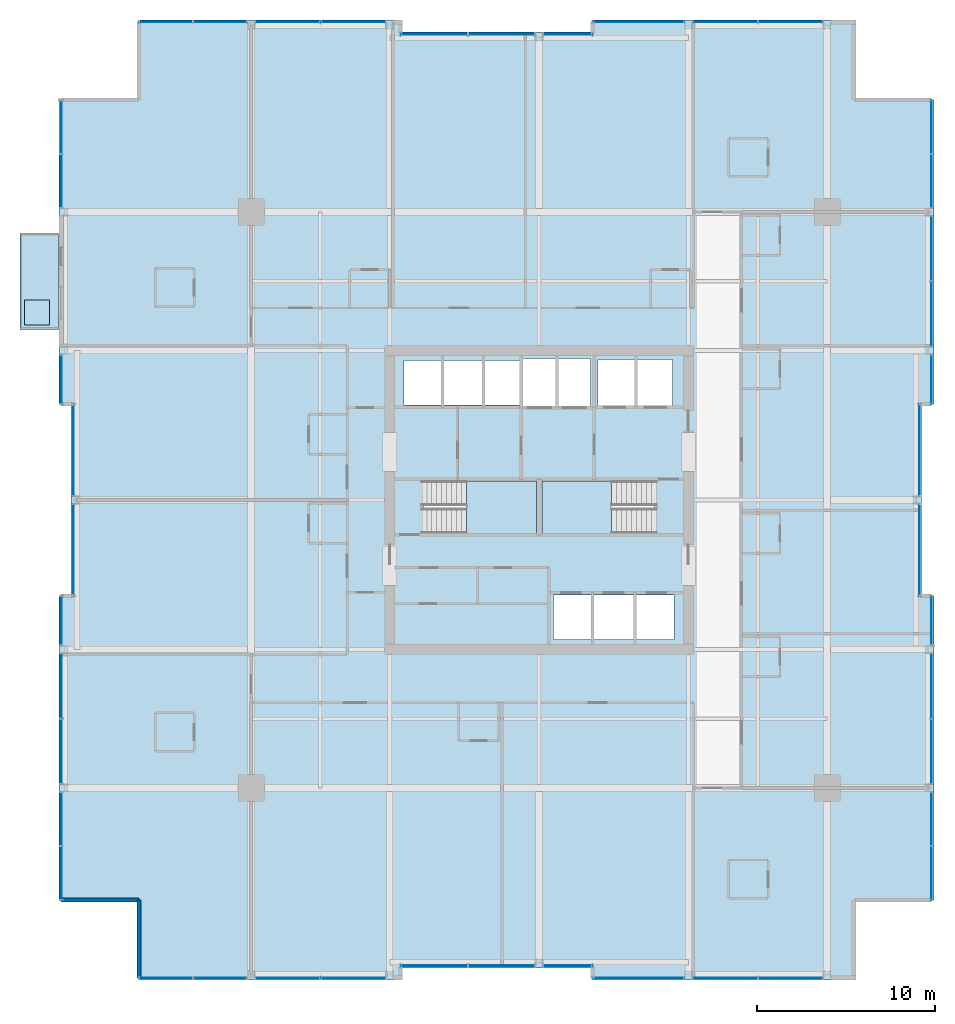
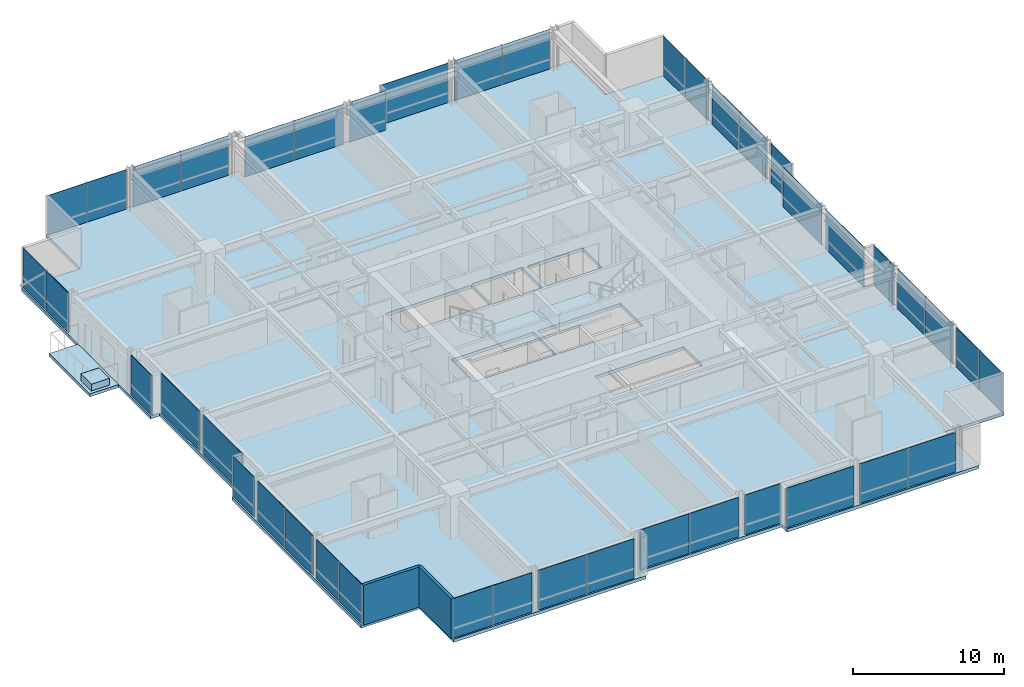
# One storey, part 27 of 33: 42 plates, 5 slabs, 2 walls, 29 elements without a shape of their own.
"""IFC4 building model written with IfcOpenShell, lengths in metres."""

from ifc_helpers import new_model, si_unit, direction, frame, frame_2d, origin, origin_2d, place, context, subcontext, project, spatial, polyline, rectangle, outline, extrude, material, layer, layer_set, type_object, element, aggregate, save


model = new_model("IFC4")

# Units and contexts
model_context = context("Model", 3, precision=1e-05, world=origin(), true_north=direction((0.0, 1.0)))
body_context = subcontext(model_context, "Body", "Model", "MODEL_VIEW")
ifc_project = project(units=[si_unit("LENGTHUNIT", "METRE"), si_unit("AREAUNIT", "SQUARE_METRE"), si_unit("VOLUMEUNIT", "CUBIC_METRE"), si_unit("PLANEANGLEUNIT", "RADIAN"), si_unit("MASSUNIT", "GRAM", prefix="KILO")], contexts=[model_context])

# Site, building, storey
site_placement = place(None, origin())
site = spatial("IfcSite", under=ifc_project, at=site_placement, CompositionType="ELEMENT")
building_placement = place(site_placement, origin())
building = spatial("IfcBuilding", under=site, at=building_placement, Name="Drelvath Grand Hotel", CompositionType="ELEMENT")
storey_placement = place(building_placement, frame((0.0, 0.0, 105.800048828125)))
storey = spatial("IfcBuildingStorey", under=building, at=storey_placement, Name="L26", CompositionType="ELEMENT", Elevation=105.800048828125)

# Slabs
ifc_material_1 = material(Name="Concrete f'c 40 MPa", Category="concrete")
ifc_layer_1 = layer(ifc_material_1, 0.239990234375)
ifc_layer_set_1 = layer_set([ifc_layer_1], Name="Concrete f'c 40 MPa")
slab_type_1 = type_object("IfcSlabType", Name="Cantilevered Tree Balcony Slab 240", PredefinedType="FLOOR", material=ifc_layer_set_1)
slab_1_placement = place(storey_placement, frame((0.0, 0.0, -0.239990234375)))
element("IfcSlab", 1, at=slab_1_placement, inside=storey, type_object=slab_type_1, Name="L26 Cantilevered Tree Balcony Slab 1", PredefinedType="FLOOR", context=body_context, shape_type="SweptSolid", body=[
    extrude(outline(polyline([(-29.199951171875, 36.60009765625), (-27.0, 36.60009765625), (-27.0, 42.0), (-29.199951171875, 42.0), (-29.199951171875, 36.60009765625)])), origin(), (0.0, 0.0, 1.0), 0.239990234375),
])
ifc_layer_2 = layer(ifc_material_1, 0.260009765625)
ifc_layer_set_2 = layer_set([ifc_layer_2], Name="Concrete f'c 40 MPa")
slab_type_2 = type_object("IfcSlabType", Name="Composite RC Floor Slab 260", PredefinedType="FLOOR", material=ifc_layer_set_2)
slab_2_placement = place(storey_placement, frame((0.0, 0.0, -0.260009765625)))
element("IfcSlab", 2, at=slab_2_placement, inside=storey, type_object=slab_type_2, Name="L26 Structural Floor Slab", PredefinedType="FLOOR", context=body_context, shape_type="SweptSolid", body=[
    extrude(outline(polyline([(-22.5, 0.0), (-7.800048828125, 0.0), (-7.800048828125, 0.679931640625), (3.0, 0.679931640625), (3.0, 0.0), (17.699951171875, 0.0), (17.699951171875, 4.5), (22.199951171875, 4.5), (22.199951171875, 21.60009765625), (21.52001953125, 21.60009765625), (21.52001953125, 32.39990234375), (22.199951171875, 32.39990234375), (22.199951171875, 49.5), (17.699951171875, 49.5), (17.699951171875, 54.0), (3.0, 54.0), (3.0, 53.320068359375), (-7.800048828125, 53.320068359375), (-7.800048828125, 54.0), (-22.5, 54.0), (-22.5, 49.5), (-27.0, 49.5), (-27.0, 32.39990234375), (-26.320068359375, 32.39990234375), (-26.320068359375, 21.60009765625), (-27.0, 21.60009765625), (-27.0, 4.5), (-22.5, 4.5), (-22.5, 0.0)]), holes=[polyline([(-6.47998046875, 25.1201171875), (-6.47998046875, 28.080078125), (-0.14990234375, 28.080078125), (-0.14990234375, 25.1201171875), (-6.47998046875, 25.1201171875)]), polyline([(0.14990234375, 25.1201171875), (0.14990234375, 28.080078125), (6.47998046875, 28.080078125), (6.47998046875, 25.1201171875), (0.14990234375, 25.1201171875)]), polyline([(0.800048828125, 19.14990234375), (0.800048828125, 21.64990234375), (7.60009765625, 21.64990234375), (7.60009765625, 19.14990234375), (0.800048828125, 19.14990234375)]), polyline([(-7.60009765625, 32.35009765625), (-7.60009765625, 34.85009765625), (-1.02001953125, 34.85009765625), (-1.02001953125, 32.35009765625), (-7.60009765625, 32.35009765625)]), polyline([(-0.89990234375, 32.25), (-0.89990234375, 34.949951171875), (2.89990234375, 34.949951171875), (2.89990234375, 32.25), (-0.89990234375, 32.25)]), polyline([(3.300048828125, 32.300048828125), (3.300048828125, 34.89990234375), (7.5, 34.89990234375), (7.5, 32.300048828125), (3.300048828125, 32.300048828125)])]), origin(), (0.0, 0.0, 1.0), 0.260009765625),
])

# Stair, slab
ifc_material_2 = material(Name="Concrete C40/50", Category="concrete")
stair_type = type_object("IfcStairType", Name="Dogleg Exit Stair W1400-R175.0", PredefinedType="HALF_TURN_STAIR", material=ifc_material_2)
stair_1_placement = place(storey_placement, origin())
stair_1 = element("IfcStair", 3, at=stair_1_placement, inside=storey, type_object=stair_type, Name="L26 Core Exit Stair ST-1", PredefinedType="HALF_TURN_STAIR")
ifc_layer_3 = layer(ifc_material_2, 0.199951171875)
ifc_layer_set_3 = layer_set([ifc_layer_3], Name="Concrete C40/50")
slab_type_3 = type_object("IfcSlabType", Name="Concrete Stair Landing Slab 200", PredefinedType="LANDING", material=ifc_layer_set_3)
slab_3_placement = place(storey_placement, frame((0.0, 0.0, 1.550048828125)))
slab_3 = element("IfcSlab", 4, at=slab_3_placement, type_object=slab_type_3, Name="ST-1 landing 1", PredefinedType="LANDING", context=body_context, shape_type="SweptSolid", body=[
    extrude(outline(polyline([(-4.080078125, 25.1201171875), (-0.14990234375, 25.1201171875), (-0.14990234375, 28.080078125), (-4.080078125, 28.080078125), (-4.080078125, 25.1201171875)])), origin(), (0.0, 0.0, 1.0), 0.199951171875),
])
aggregate(stair_1, [slab_3])

stair_2_placement = place(storey_placement, origin())
stair_2 = element("IfcStair", 5, at=stair_2_placement, inside=storey, type_object=stair_type, Name="L26 Core Exit Stair ST-2", PredefinedType="HALF_TURN_STAIR")
slab_4_placement = place(storey_placement, frame((0.0, 0.0, 1.550048828125)))
slab_4 = element("IfcSlab", 6, at=slab_4_placement, type_object=slab_type_3, Name="ST-2 landing 1", PredefinedType="LANDING", context=body_context, shape_type="SweptSolid", body=[
    extrude(outline(polyline([(4.080078125, 28.080078125), (0.14990234375, 28.080078125), (0.14990234375, 25.1201171875), (4.080078125, 25.1201171875), (4.080078125, 28.080078125)])), origin(), (0.0, 0.0, 1.0), 0.199951171875),
])
aggregate(stair_2, [slab_4])

# Curtain wall, plates
ifc_material_3 = material(Name="Champagne Bronze Anodised Aluminium Frame", Category="aluminium")
ifc_layer_4 = layer(ifc_material_3, 0.199951171875)
ifc_layer_set_4 = layer_set([ifc_layer_4], Name="Champagne Bronze Anodised Aluminium Frame")
curtain_wall_type = type_object("IfcCurtainWallType", Name="Stick Curtain Wall CW-03 Champagne Bronze Mid-Rise", PredefinedType="NOTDEFINED", material=ifc_layer_set_4)
curtain_wall_1_placement = place(storey_placement, origin())
curtain_wall_1 = element("IfcCurtainWall", 7, at=curtain_wall_1_placement, inside=storey, type_object=curtain_wall_type, Name="L26 CW-03 Curtain Wall CW03-L26-WS1", PredefinedType="NOTDEFINED")
ifc_material_4 = material(Name="Low-E Triple Silver Vision Glass Neutral", Category="glass")
ifc_layer_5 = layer(ifc_material_4, 0.035888671875)
ifc_layer_set_5 = layer_set([ifc_layer_5], Name="Low-E Triple Silver Vision Glass Neutral")
plate_type = type_object("IfcPlateType", Name="Curtain Wall Vision Panel CW-03 36mm", PredefinedType="CURTAIN_PANEL", material=ifc_layer_set_5)
plate_1_placement = place(storey_placement, frame((-26.8798828125, 6.02001953125, 0.02001953125), z_axis=(0.0, 0.0, 1.0), x_axis=(0.0, 1.0, 0.0)))
plate_1 = element("IfcPlate", 8, at=plate_1_placement, type_object=plate_type, Name="CW03-L26-WS1 Glazed Panel 1", PredefinedType="CURTAIN_PANEL", context=body_context, shape_type="SweptSolid", body=[
    extrude(rectangle(XDim=3.000244140625, YDim=0.035888671875, at=origin_2d()), origin(), (0.0, 0.0, 1.0), 3.199951171875),
])
plate_2_placement = place(storey_placement, frame((-26.8798828125, 9.060302734375, 0.02001953125), z_axis=(0.0, 0.0, 1.0), x_axis=(0.0, 1.0, 0.0)))
plate_2 = element("IfcPlate", 9, at=plate_2_placement, type_object=plate_type, Name="CW03-L26-WS1 Glazed Panel 2", PredefinedType="CURTAIN_PANEL", context=body_context, shape_type="SweptSolid", body=[
    extrude(rectangle(XDim=3.000244140625, YDim=0.035888671875, at=origin_2d()), origin(), (0.0, 0.0, 1.0), 3.199951171875),
])
aggregate(curtain_wall_1, [plate_1, plate_2])

curtain_wall_2_placement = place(storey_placement, origin())
curtain_wall_2 = element("IfcCurtainWall", 10, at=curtain_wall_2_placement, inside=storey, type_object=curtain_wall_type, Name="L26 CW-03 Curtain Wall CW03-L26-WS2", PredefinedType="NOTDEFINED")
plate_3_placement = place(storey_placement, frame((-26.8798828125, 12.85986328125, 0.02001953125), z_axis=(0.0, 0.0, 1.0), x_axis=(0.0, 1.0, 0.0)))
plate_3 = element("IfcPlate", 11, at=plate_3_placement, type_object=plate_type, Name="CW03-L26-WS2 Glazed Panel 1", PredefinedType="CURTAIN_PANEL", context=body_context, shape_type="SweptSolid", body=[
    extrude(rectangle(XDim=3.640380859375, YDim=0.035888671875, at=origin_2d()), origin(), (0.0, 0.0, 1.0), 3.199951171875),
])
plate_4_placement = place(storey_placement, frame((-26.8798828125, 16.540283203125, 0.02001953125), z_axis=(0.0, 0.0, 1.0), x_axis=(0.0, 1.0, 0.0)))
plate_4 = element("IfcPlate", 12, at=plate_4_placement, type_object=plate_type, Name="CW03-L26-WS2 Glazed Panel 2", PredefinedType="CURTAIN_PANEL", context=body_context, shape_type="SweptSolid", body=[
    extrude(rectangle(XDim=3.640380859375, YDim=0.035888671875, at=origin_2d()), origin(), (0.0, 0.0, 1.0), 3.199951171875),
])
aggregate(curtain_wall_2, [plate_3, plate_4])

# Curtain wall, plate
curtain_wall_3_placement = place(storey_placement, origin())
curtain_wall_3 = element("IfcCurtainWall", 13, at=curtain_wall_3_placement, inside=storey, type_object=curtain_wall_type, Name="L26 CW-03 Curtain Wall CW03-L26-WS3", PredefinedType="NOTDEFINED")
plate_5_placement = place(storey_placement, frame((-26.8798828125, 20.209716796875, 0.02001953125), z_axis=(0.0, 0.0, 1.0), x_axis=(0.0, 1.0, 0.0)))
plate_5 = element("IfcPlate", 14, at=plate_5_placement, type_object=plate_type, Name="CW03-L26-WS3 Glazed Panel 1", PredefinedType="CURTAIN_PANEL", context=body_context, shape_type="SweptSolid", body=[
    extrude(rectangle(XDim=2.740478515625, YDim=0.035888671875, at=origin_2d()), origin(), (0.0, 0.0, 1.0), 3.199951171875),
])
aggregate(curtain_wall_3, [plate_5])

curtain_wall_4_placement = place(storey_placement, origin())
curtain_wall_4 = element("IfcCurtainWall", 15, at=curtain_wall_4_placement, inside=storey, type_object=curtain_wall_type, Name="L26 CW-03 Curtain Wall CW03-L26-WM1", PredefinedType="NOTDEFINED")
plate_6_placement = place(storey_placement, frame((-26.199951171875, 24.190185546875, 0.02001953125), z_axis=(0.0, 0.0, 1.0), x_axis=(0.0, 1.0, 0.0)))
plate_6 = element("IfcPlate", 16, at=plate_6_placement, type_object=plate_type, Name="CW03-L26-WM1 Glazed Panel 1", PredefinedType="CURTAIN_PANEL", context=body_context, shape_type="SweptSolid", body=[
    extrude(rectangle(XDim=5.140380859375, YDim=0.035888671875, at=origin_2d()), origin(), (0.0, 0.0, 1.0), 3.199951171875),
])
aggregate(curtain_wall_4, [plate_6])

curtain_wall_5_placement = place(storey_placement, origin())
curtain_wall_5 = element("IfcCurtainWall", 17, at=curtain_wall_5_placement, inside=storey, type_object=curtain_wall_type, Name="L26 CW-03 Curtain Wall CW03-L26-WM2", PredefinedType="NOTDEFINED")
plate_7_placement = place(storey_placement, frame((-26.199951171875, 29.809814453125, 0.02001953125), z_axis=(0.0, 0.0, 1.0), x_axis=(0.0, 1.0, 0.0)))
plate_7 = element("IfcPlate", 18, at=plate_7_placement, type_object=plate_type, Name="CW03-L26-WM2 Glazed Panel 1", PredefinedType="CURTAIN_PANEL", context=body_context, shape_type="SweptSolid", body=[
    extrude(rectangle(XDim=5.140380859375, YDim=0.035888671875, at=origin_2d()), origin(), (0.0, 0.0, 1.0), 3.199951171875),
])
aggregate(curtain_wall_5, [plate_7])

curtain_wall_6_placement = place(storey_placement, origin())
curtain_wall_6 = element("IfcCurtainWall", 19, at=curtain_wall_6_placement, inside=storey, type_object=curtain_wall_type, Name="L26 CW-03 Curtain Wall CW03-L26-WN1", PredefinedType="NOTDEFINED")
plate_8_placement = place(storey_placement, frame((-26.8798828125, 33.790283203125, 0.02001953125), z_axis=(0.0, 0.0, 1.0), x_axis=(0.0, 1.0, 0.0)))
plate_8 = element("IfcPlate", 20, at=plate_8_placement, type_object=plate_type, Name="CW03-L26-WN1 Glazed Panel 1", PredefinedType="CURTAIN_PANEL", context=body_context, shape_type="SweptSolid", body=[
    extrude(rectangle(XDim=2.740478515625, YDim=0.035888671875, at=origin_2d()), origin(), (0.0, 0.0, 1.0), 3.199951171875),
])
aggregate(curtain_wall_6, [plate_8])

# Curtain wall, plates
curtain_wall_7_placement = place(storey_placement, origin())
curtain_wall_7 = element("IfcCurtainWall", 21, at=curtain_wall_7_placement, inside=storey, type_object=curtain_wall_type, Name="L26 CW-03 Curtain Wall CW03-L26-WN3", PredefinedType="NOTDEFINED")
plate_9_placement = place(storey_placement, frame((-26.8798828125, 44.939697265625, 0.02001953125), z_axis=(0.0, 0.0, 1.0), x_axis=(0.0, 1.0, 0.0)))
plate_9 = element("IfcPlate", 22, at=plate_9_placement, type_object=plate_type, Name="CW03-L26-WN3 Glazed Panel 1", PredefinedType="CURTAIN_PANEL", context=body_context, shape_type="SweptSolid", body=[
    extrude(rectangle(XDim=3.000244140625, YDim=0.035888671875, at=origin_2d()), origin(), (0.0, 0.0, 1.0), 3.199951171875),
])
plate_10_placement = place(storey_placement, frame((-26.8798828125, 47.97998046875, 0.02001953125), z_axis=(0.0, 0.0, 1.0), x_axis=(0.0, 1.0, 0.0)))
plate_10 = element("IfcPlate", 23, at=plate_10_placement, type_object=plate_type, Name="CW03-L26-WN3 Glazed Panel 2", PredefinedType="CURTAIN_PANEL", context=body_context, shape_type="SweptSolid", body=[
    extrude(rectangle(XDim=3.000244140625, YDim=0.035888671875, at=origin_2d()), origin(), (0.0, 0.0, 1.0), 3.199951171875),
])
aggregate(curtain_wall_7, [plate_9, plate_10])

# Curtain wall, plate
curtain_wall_8_placement = place(storey_placement, origin())
curtain_wall_8 = element("IfcCurtainWall", 24, at=curtain_wall_8_placement, inside=storey, type_object=curtain_wall_type, Name="L26 CW-03 Curtain Wall CW03-L26-EN1", PredefinedType="NOTDEFINED")
plate_11_placement = place(storey_placement, frame((22.080078125, 33.790283203125, 0.02001953125), z_axis=(0.0, 0.0, 1.0), x_axis=(0.0, -1.0, 0.0)))
plate_11 = element("IfcPlate", 25, at=plate_11_placement, type_object=plate_type, Name="CW03-L26-EN1 Glazed Panel 1", PredefinedType="CURTAIN_PANEL", context=body_context, shape_type="SweptSolid", body=[
    extrude(rectangle(XDim=2.740478515625, YDim=0.035888671875, at=origin_2d()), origin(), (0.0, 0.0, 1.0), 3.199951171875),
])
aggregate(curtain_wall_8, [plate_11])

# Curtain wall, plates
curtain_wall_9_placement = place(storey_placement, origin())
curtain_wall_9 = element("IfcCurtainWall", 26, at=curtain_wall_9_placement, inside=storey, type_object=curtain_wall_type, Name="L26 CW-03 Curtain Wall CW03-L26-EN2", PredefinedType="NOTDEFINED")
plate_12_placement = place(storey_placement, frame((22.080078125, 41.14013671875, 0.02001953125), z_axis=(0.0, 0.0, 1.0), x_axis=(0.0, -1.0, 0.0)))
plate_12 = element("IfcPlate", 27, at=plate_12_placement, type_object=plate_type, Name="CW03-L26-EN2 Glazed Panel 1", PredefinedType="CURTAIN_PANEL", context=body_context, shape_type="SweptSolid", body=[
    extrude(rectangle(XDim=3.640380859375, YDim=0.035888671875, at=origin_2d()), origin(), (0.0, 0.0, 1.0), 3.199951171875),
])
plate_13_placement = place(storey_placement, frame((22.080078125, 37.459716796875, 0.02001953125), z_axis=(0.0, 0.0, 1.0), x_axis=(0.0, -1.0, 0.0)))
plate_13 = element("IfcPlate", 28, at=plate_13_placement, type_object=plate_type, Name="CW03-L26-EN2 Glazed Panel 2", PredefinedType="CURTAIN_PANEL", context=body_context, shape_type="SweptSolid", body=[
    extrude(rectangle(XDim=3.640380859375, YDim=0.035888671875, at=origin_2d()), origin(), (0.0, 0.0, 1.0), 3.199951171875),
])
aggregate(curtain_wall_9, [plate_12, plate_13])

curtain_wall_10_placement = place(storey_placement, origin())
curtain_wall_10 = element("IfcCurtainWall", 29, at=curtain_wall_10_placement, inside=storey, type_object=curtain_wall_type, Name="L26 CW-03 Curtain Wall CW03-L26-EN3", PredefinedType="NOTDEFINED")
plate_14_placement = place(storey_placement, frame((22.080078125, 47.97998046875, 0.02001953125), z_axis=(0.0, 0.0, 1.0), x_axis=(0.0, -1.0, 0.0)))
plate_14 = element("IfcPlate", 30, at=plate_14_placement, type_object=plate_type, Name="CW03-L26-EN3 Glazed Panel 1", PredefinedType="CURTAIN_PANEL", context=body_context, shape_type="SweptSolid", body=[
    extrude(rectangle(XDim=3.000244140625, YDim=0.035888671875, at=origin_2d()), origin(), (0.0, 0.0, 1.0), 3.199951171875),
])
plate_15_placement = place(storey_placement, frame((22.080078125, 44.939697265625, 0.02001953125), z_axis=(0.0, 0.0, 1.0), x_axis=(0.0, -1.0, 0.0)))
plate_15 = element("IfcPlate", 31, at=plate_15_placement, type_object=plate_type, Name="CW03-L26-EN3 Glazed Panel 2", PredefinedType="CURTAIN_PANEL", context=body_context, shape_type="SweptSolid", body=[
    extrude(rectangle(XDim=3.000244140625, YDim=0.035888671875, at=origin_2d()), origin(), (0.0, 0.0, 1.0), 3.199951171875),
])
aggregate(curtain_wall_10, [plate_14, plate_15])

# Curtain wall, plate
curtain_wall_11_placement = place(storey_placement, origin())
curtain_wall_11 = element("IfcCurtainWall", 32, at=curtain_wall_11_placement, inside=storey, type_object=curtain_wall_type, Name="L26 CW-03 Curtain Wall CW03-L26-EM1", PredefinedType="NOTDEFINED")
plate_16_placement = place(storey_placement, frame((21.39990234375, 24.190185546875, 0.02001953125), z_axis=(0.0, 0.0, 1.0), x_axis=(0.0, -1.0, 0.0)))
plate_16 = element("IfcPlate", 33, at=plate_16_placement, type_object=plate_type, Name="CW03-L26-EM1 Glazed Panel 1", PredefinedType="CURTAIN_PANEL", context=body_context, shape_type="SweptSolid", body=[
    extrude(rectangle(XDim=5.140380859375, YDim=0.035888671875, at=origin_2d()), origin(), (0.0, 0.0, 1.0), 3.199951171875),
])
aggregate(curtain_wall_11, [plate_16])

curtain_wall_12_placement = place(storey_placement, origin())
curtain_wall_12 = element("IfcCurtainWall", 34, at=curtain_wall_12_placement, inside=storey, type_object=curtain_wall_type, Name="L26 CW-03 Curtain Wall CW03-L26-EM2", PredefinedType="NOTDEFINED")
plate_17_placement = place(storey_placement, frame((21.39990234375, 29.809814453125, 0.02001953125), z_axis=(0.0, 0.0, 1.0), x_axis=(0.0, -1.0, 0.0)))
plate_17 = element("IfcPlate", 35, at=plate_17_placement, type_object=plate_type, Name="CW03-L26-EM2 Glazed Panel 1", PredefinedType="CURTAIN_PANEL", context=body_context, shape_type="SweptSolid", body=[
    extrude(rectangle(XDim=5.140380859375, YDim=0.035888671875, at=origin_2d()), origin(), (0.0, 0.0, 1.0), 3.199951171875),
])
aggregate(curtain_wall_12, [plate_17])

# Curtain wall, plates
curtain_wall_13_placement = place(storey_placement, origin())
curtain_wall_13 = element("IfcCurtainWall", 36, at=curtain_wall_13_placement, inside=storey, type_object=curtain_wall_type, Name="L26 CW-03 Curtain Wall CW03-L26-ES1", PredefinedType="NOTDEFINED")
plate_18_placement = place(storey_placement, frame((22.080078125, 9.060302734375, 0.02001953125), z_axis=(0.0, 0.0, 1.0), x_axis=(0.0, -1.0, 0.0)))
plate_18 = element("IfcPlate", 37, at=plate_18_placement, type_object=plate_type, Name="CW03-L26-ES1 Glazed Panel 1", PredefinedType="CURTAIN_PANEL", context=body_context, shape_type="SweptSolid", body=[
    extrude(rectangle(XDim=3.000244140625, YDim=0.035888671875, at=origin_2d()), origin(), (0.0, 0.0, 1.0), 3.199951171875),
])
plate_19_placement = place(storey_placement, frame((22.080078125, 6.02001953125, 0.02001953125), z_axis=(0.0, 0.0, 1.0), x_axis=(0.0, -1.0, 0.0)))
plate_19 = element("IfcPlate", 38, at=plate_19_placement, type_object=plate_type, Name="CW03-L26-ES1 Glazed Panel 2", PredefinedType="CURTAIN_PANEL", context=body_context, shape_type="SweptSolid", body=[
    extrude(rectangle(XDim=3.000244140625, YDim=0.035888671875, at=origin_2d()), origin(), (0.0, 0.0, 1.0), 3.199951171875),
])
aggregate(curtain_wall_13, [plate_18, plate_19])

curtain_wall_14_placement = place(storey_placement, origin())
curtain_wall_14 = element("IfcCurtainWall", 39, at=curtain_wall_14_placement, inside=storey, type_object=curtain_wall_type, Name="L26 CW-03 Curtain Wall CW03-L26-ES2", PredefinedType="NOTDEFINED")
plate_20_placement = place(storey_placement, frame((22.080078125, 16.540283203125, 0.02001953125), z_axis=(0.0, 0.0, 1.0), x_axis=(0.0, -1.0, 0.0)))
plate_20 = element("IfcPlate", 40, at=plate_20_placement, type_object=plate_type, Name="CW03-L26-ES2 Glazed Panel 1", PredefinedType="CURTAIN_PANEL", context=body_context, shape_type="SweptSolid", body=[
    extrude(rectangle(XDim=3.640380859375, YDim=0.035888671875, at=origin_2d()), origin(), (0.0, 0.0, 1.0), 3.199951171875),
])
plate_21_placement = place(storey_placement, frame((22.080078125, 12.85986328125, 0.02001953125), z_axis=(0.0, 0.0, 1.0), x_axis=(0.0, -1.0, 0.0)))
plate_21 = element("IfcPlate", 41, at=plate_21_placement, type_object=plate_type, Name="CW03-L26-ES2 Glazed Panel 2", PredefinedType="CURTAIN_PANEL", context=body_context, shape_type="SweptSolid", body=[
    extrude(rectangle(XDim=3.640380859375, YDim=0.035888671875, at=origin_2d()), origin(), (0.0, 0.0, 1.0), 3.199951171875),
])
aggregate(curtain_wall_14, [plate_20, plate_21])

# Curtain wall, plate
curtain_wall_15_placement = place(storey_placement, origin())
curtain_wall_15 = element("IfcCurtainWall", 42, at=curtain_wall_15_placement, inside=storey, type_object=curtain_wall_type, Name="L26 CW-03 Curtain Wall CW03-L26-ES3", PredefinedType="NOTDEFINED")
plate_22_placement = place(storey_placement, frame((22.080078125, 20.209716796875, 0.02001953125), z_axis=(0.0, 0.0, 1.0), x_axis=(0.0, -1.0, 0.0)))
plate_22 = element("IfcPlate", 43, at=plate_22_placement, type_object=plate_type, Name="CW03-L26-ES3 Glazed Panel 1", PredefinedType="CURTAIN_PANEL", context=body_context, shape_type="SweptSolid", body=[
    extrude(rectangle(XDim=2.740478515625, YDim=0.035888671875, at=origin_2d()), origin(), (0.0, 0.0, 1.0), 3.199951171875),
])
aggregate(curtain_wall_15, [plate_22])

# Curtain wall, plates
curtain_wall_16_placement = place(storey_placement, origin())
curtain_wall_16 = element("IfcCurtainWall", 44, at=curtain_wall_16_placement, inside=storey, type_object=curtain_wall_type, Name="L26 CW-03 Curtain Wall CW03-L26-NW1", PredefinedType="NOTDEFINED")
plate_23_placement = place(storey_placement, frame((-20.97998046875, 53.8798828125, 0.02001953125), z_axis=(0.0, 0.0, 1.0), x_axis=(1.0, 0.0, 0.0)))
plate_23 = element("IfcPlate", 45, at=plate_23_placement, type_object=plate_type, Name="CW03-L26-NW1 Glazed Panel 1", PredefinedType="CURTAIN_PANEL", context=body_context, shape_type="SweptSolid", body=[
    extrude(rectangle(XDim=3.000244140625, YDim=0.035888671875, at=origin_2d()), origin(), (0.0, 0.0, 1.0), 3.199951171875),
])
plate_24_placement = place(storey_placement, frame((-17.939697265625, 53.8798828125, 0.02001953125), z_axis=(0.0, 0.0, 1.0), x_axis=(1.0, 0.0, 0.0)))
plate_24 = element("IfcPlate", 46, at=plate_24_placement, type_object=plate_type, Name="CW03-L26-NW1 Glazed Panel 2", PredefinedType="CURTAIN_PANEL", context=body_context, shape_type="SweptSolid", body=[
    extrude(rectangle(XDim=3.000244140625, YDim=0.035888671875, at=origin_2d()), origin(), (0.0, 0.0, 1.0), 3.199951171875),
])
aggregate(curtain_wall_16, [plate_23, plate_24])

curtain_wall_17_placement = place(storey_placement, origin())
curtain_wall_17 = element("IfcCurtainWall", 47, at=curtain_wall_17_placement, inside=storey, type_object=curtain_wall_type, Name="L26 CW-03 Curtain Wall CW03-L26-NW2", PredefinedType="NOTDEFINED")
plate_25_placement = place(storey_placement, frame((-14.14013671875, 53.8798828125, 0.02001953125), z_axis=(0.0, 0.0, 1.0), x_axis=(1.0, 0.0, 0.0)))
plate_25 = element("IfcPlate", 48, at=plate_25_placement, type_object=plate_type, Name="CW03-L26-NW2 Glazed Panel 1", PredefinedType="CURTAIN_PANEL", context=body_context, shape_type="SweptSolid", body=[
    extrude(rectangle(XDim=3.640380859375, YDim=0.035888671875, at=origin_2d()), origin(), (0.0, 0.0, 1.0), 3.199951171875),
])
plate_26_placement = place(storey_placement, frame((-10.459716796875, 53.8798828125, 0.02001953125), z_axis=(0.0, 0.0, 1.0), x_axis=(1.0, 0.0, 0.0)))
plate_26 = element("IfcPlate", 49, at=plate_26_placement, type_object=plate_type, Name="CW03-L26-NW2 Glazed Panel 2", PredefinedType="CURTAIN_PANEL", context=body_context, shape_type="SweptSolid", body=[
    extrude(rectangle(XDim=3.640380859375, YDim=0.035888671875, at=origin_2d()), origin(), (0.0, 0.0, 1.0), 3.199951171875),
])
aggregate(curtain_wall_17, [plate_25, plate_26])

curtain_wall_18_placement = place(storey_placement, origin())
curtain_wall_18 = element("IfcCurtainWall", 50, at=curtain_wall_18_placement, inside=storey, type_object=curtain_wall_type, Name="L26 CW-03 Curtain Wall CW03-L26-NM1", PredefinedType="NOTDEFINED")
plate_27_placement = place(storey_placement, frame((-5.90478515625, 53.199951171875, 0.02001953125), z_axis=(0.0, 0.0, 1.0), x_axis=(1.0, 0.0, 0.0)))
plate_27 = element("IfcPlate", 51, at=plate_27_placement, type_object=plate_type, Name="CW03-L26-NM1 Glazed Panel 1", PredefinedType="CURTAIN_PANEL", context=body_context, shape_type="SweptSolid", body=[
    extrude(rectangle(XDim=3.750244140625, YDim=0.035888671875, at=origin_2d()), origin(), (0.0, 0.0, 1.0), 3.199951171875),
])
plate_28_placement = place(storey_placement, frame((-2.11474609375, 53.199951171875, 0.02001953125), z_axis=(0.0, 0.0, 1.0), x_axis=(1.0, 0.0, 0.0)))
plate_28 = element("IfcPlate", 52, at=plate_28_placement, type_object=plate_type, Name="CW03-L26-NM1 Glazed Panel 2", PredefinedType="CURTAIN_PANEL", context=body_context, shape_type="SweptSolid", body=[
    extrude(rectangle(XDim=3.750244140625, YDim=0.035888671875, at=origin_2d()), origin(), (0.0, 0.0, 1.0), 3.199951171875),
])
aggregate(curtain_wall_18, [plate_27, plate_28])

# Curtain wall, plate
curtain_wall_19_placement = place(storey_placement, origin())
curtain_wall_19 = element("IfcCurtainWall", 53, at=curtain_wall_19_placement, inside=storey, type_object=curtain_wall_type, Name="L26 CW-03 Curtain Wall CW03-L26-NM2", PredefinedType="NOTDEFINED")
plate_29_placement = place(storey_placement, frame((1.60986328125, 53.199951171875, 0.02001953125), z_axis=(0.0, 0.0, 1.0), x_axis=(1.0, 0.0, 0.0)))
plate_29 = element("IfcPlate", 54, at=plate_29_placement, type_object=plate_type, Name="CW03-L26-NM2 Glazed Panel 1", PredefinedType="CURTAIN_PANEL", context=body_context, shape_type="SweptSolid", body=[
    extrude(rectangle(XDim=2.740478515625, YDim=0.035888671875, at=origin_2d()), origin(), (0.0, 0.0, 1.0), 3.199951171875),
])
aggregate(curtain_wall_19, [plate_29])

curtain_wall_20_placement = place(storey_placement, origin())
curtain_wall_20 = element("IfcCurtainWall", 55, at=curtain_wall_20_placement, inside=storey, type_object=curtain_wall_type, Name="L26 CW-03 Curtain Wall CW03-L26-NE1", PredefinedType="NOTDEFINED")
plate_30_placement = place(storey_placement, frame((5.590087890625, 53.8798828125, 0.02001953125), z_axis=(0.0, 0.0, 1.0), x_axis=(1.0, 0.0, 0.0)))
plate_30 = element("IfcPlate", 56, at=plate_30_placement, type_object=plate_type, Name="CW03-L26-NE1 Glazed Panel 1", PredefinedType="CURTAIN_PANEL", context=body_context, shape_type="SweptSolid", body=[
    extrude(rectangle(XDim=5.140380859375, YDim=0.035888671875, at=origin_2d()), origin(), (0.0, 0.0, 1.0), 3.199951171875),
])
aggregate(curtain_wall_20, [plate_30])

# Curtain wall, plates
curtain_wall_21_placement = place(storey_placement, origin())
curtain_wall_21 = element("IfcCurtainWall", 57, at=curtain_wall_21_placement, inside=storey, type_object=curtain_wall_type, Name="L26 CW-03 Curtain Wall CW03-L26-NE2", PredefinedType="NOTDEFINED")
plate_31_placement = place(storey_placement, frame((10.459716796875, 53.8798828125, 0.02001953125), z_axis=(0.0, 0.0, 1.0), x_axis=(1.0, 0.0, 0.0)))
plate_31 = element("IfcPlate", 58, at=plate_31_placement, type_object=plate_type, Name="CW03-L26-NE2 Glazed Panel 1", PredefinedType="CURTAIN_PANEL", context=body_context, shape_type="SweptSolid", body=[
    extrude(rectangle(XDim=3.640380859375, YDim=0.035888671875, at=origin_2d()), origin(), (0.0, 0.0, 1.0), 3.199951171875),
])
plate_32_placement = place(storey_placement, frame((14.14013671875, 53.8798828125, 0.02001953125), z_axis=(0.0, 0.0, 1.0), x_axis=(1.0, 0.0, 0.0)))
plate_32 = element("IfcPlate", 59, at=plate_32_placement, type_object=plate_type, Name="CW03-L26-NE2 Glazed Panel 2", PredefinedType="CURTAIN_PANEL", context=body_context, shape_type="SweptSolid", body=[
    extrude(rectangle(XDim=3.640380859375, YDim=0.035888671875, at=origin_2d()), origin(), (0.0, 0.0, 1.0), 3.199951171875),
])
aggregate(curtain_wall_21, [plate_31, plate_32])

# Curtain wall, plate
curtain_wall_22_placement = place(storey_placement, origin())
curtain_wall_22 = element("IfcCurtainWall", 60, at=curtain_wall_22_placement, inside=storey, type_object=curtain_wall_type, Name="L26 CW-03 Curtain Wall CW03-L26-SE1", PredefinedType="NOTDEFINED")
plate_33_placement = place(storey_placement, frame((5.590087890625, 0.1201171875, 0.02001953125), z_axis=(0.0, 0.0, 1.0), x_axis=(-1.0, 0.0, 0.0)))
plate_33 = element("IfcPlate", 61, at=plate_33_placement, type_object=plate_type, Name="CW03-L26-SE1 Glazed Panel 1", PredefinedType="CURTAIN_PANEL", context=body_context, shape_type="SweptSolid", body=[
    extrude(rectangle(XDim=5.140380859375, YDim=0.035888671875, at=origin_2d()), origin(), (0.0, 0.0, 1.0), 3.199951171875),
])
aggregate(curtain_wall_22, [plate_33])

# Curtain wall, plates
curtain_wall_23_placement = place(storey_placement, origin())
curtain_wall_23 = element("IfcCurtainWall", 62, at=curtain_wall_23_placement, inside=storey, type_object=curtain_wall_type, Name="L26 CW-03 Curtain Wall CW03-L26-SE2", PredefinedType="NOTDEFINED")
plate_34_placement = place(storey_placement, frame((14.14013671875, 0.1201171875, 0.02001953125), z_axis=(0.0, 0.0, 1.0), x_axis=(-1.0, 0.0, 0.0)))
plate_34 = element("IfcPlate", 63, at=plate_34_placement, type_object=plate_type, Name="CW03-L26-SE2 Glazed Panel 1", PredefinedType="CURTAIN_PANEL", context=body_context, shape_type="SweptSolid", body=[
    extrude(rectangle(XDim=3.640380859375, YDim=0.035888671875, at=origin_2d()), origin(), (0.0, 0.0, 1.0), 3.199951171875),
])
plate_35_placement = place(storey_placement, frame((10.459716796875, 0.1201171875, 0.02001953125), z_axis=(0.0, 0.0, 1.0), x_axis=(-1.0, 0.0, 0.0)))
plate_35 = element("IfcPlate", 64, at=plate_35_placement, type_object=plate_type, Name="CW03-L26-SE2 Glazed Panel 2", PredefinedType="CURTAIN_PANEL", context=body_context, shape_type="SweptSolid", body=[
    extrude(rectangle(XDim=3.640380859375, YDim=0.035888671875, at=origin_2d()), origin(), (0.0, 0.0, 1.0), 3.199951171875),
])
aggregate(curtain_wall_23, [plate_34, plate_35])

curtain_wall_24_placement = place(storey_placement, origin())
curtain_wall_24 = element("IfcCurtainWall", 65, at=curtain_wall_24_placement, inside=storey, type_object=curtain_wall_type, Name="L26 CW-03 Curtain Wall CW03-L26-SM1", PredefinedType="NOTDEFINED")
plate_36_placement = place(storey_placement, frame((-2.11474609375, 0.800048828125, 0.02001953125), z_axis=(0.0, 0.0, 1.0), x_axis=(-1.0, 0.0, 0.0)))
plate_36 = element("IfcPlate", 66, at=plate_36_placement, type_object=plate_type, Name="CW03-L26-SM1 Glazed Panel 1", PredefinedType="CURTAIN_PANEL", context=body_context, shape_type="SweptSolid", body=[
    extrude(rectangle(XDim=3.750244140625, YDim=0.035888671875, at=origin_2d()), origin(), (0.0, 0.0, 1.0), 3.199951171875),
])
plate_37_placement = place(storey_placement, frame((-5.90478515625, 0.800048828125, 0.02001953125), z_axis=(0.0, 0.0, 1.0), x_axis=(-1.0, 0.0, 0.0)))
plate_37 = element("IfcPlate", 67, at=plate_37_placement, type_object=plate_type, Name="CW03-L26-SM1 Glazed Panel 2", PredefinedType="CURTAIN_PANEL", context=body_context, shape_type="SweptSolid", body=[
    extrude(rectangle(XDim=3.750244140625, YDim=0.035888671875, at=origin_2d()), origin(), (0.0, 0.0, 1.0), 3.199951171875),
])
aggregate(curtain_wall_24, [plate_36, plate_37])

# Curtain wall, plate
curtain_wall_25_placement = place(storey_placement, origin())
curtain_wall_25 = element("IfcCurtainWall", 68, at=curtain_wall_25_placement, inside=storey, type_object=curtain_wall_type, Name="L26 CW-03 Curtain Wall CW03-L26-SM2", PredefinedType="NOTDEFINED")
plate_38_placement = place(storey_placement, frame((1.60986328125, 0.800048828125, 0.02001953125), z_axis=(0.0, 0.0, 1.0), x_axis=(-1.0, 0.0, 0.0)))
plate_38 = element("IfcPlate", 69, at=plate_38_placement, type_object=plate_type, Name="CW03-L26-SM2 Glazed Panel 1", PredefinedType="CURTAIN_PANEL", context=body_context, shape_type="SweptSolid", body=[
    extrude(rectangle(XDim=2.740478515625, YDim=0.035888671875, at=origin_2d()), origin(), (0.0, 0.0, 1.0), 3.199951171875),
])
aggregate(curtain_wall_25, [plate_38])

# Curtain wall, plates
curtain_wall_26_placement = place(storey_placement, origin())
curtain_wall_26 = element("IfcCurtainWall", 70, at=curtain_wall_26_placement, inside=storey, type_object=curtain_wall_type, Name="L26 CW-03 Curtain Wall CW03-L26-SW1", PredefinedType="NOTDEFINED")
plate_39_placement = place(storey_placement, frame((-17.939697265625, 0.1201171875, 0.02001953125), z_axis=(0.0, 0.0, 1.0), x_axis=(-1.0, 0.0, 0.0)))
plate_39 = element("IfcPlate", 71, at=plate_39_placement, type_object=plate_type, Name="CW03-L26-SW1 Glazed Panel 1", PredefinedType="CURTAIN_PANEL", context=body_context, shape_type="SweptSolid", body=[
    extrude(rectangle(XDim=3.000244140625, YDim=0.035888671875, at=origin_2d()), origin(), (0.0, 0.0, 1.0), 3.199951171875),
])
plate_40_placement = place(storey_placement, frame((-20.97998046875, 0.1201171875, 0.02001953125), z_axis=(0.0, 0.0, 1.0), x_axis=(-1.0, 0.0, 0.0)))
plate_40 = element("IfcPlate", 72, at=plate_40_placement, type_object=plate_type, Name="CW03-L26-SW1 Glazed Panel 2", PredefinedType="CURTAIN_PANEL", context=body_context, shape_type="SweptSolid", body=[
    extrude(rectangle(XDim=3.000244140625, YDim=0.035888671875, at=origin_2d()), origin(), (0.0, 0.0, 1.0), 3.199951171875),
])
aggregate(curtain_wall_26, [plate_39, plate_40])

curtain_wall_27_placement = place(storey_placement, origin())
curtain_wall_27 = element("IfcCurtainWall", 73, at=curtain_wall_27_placement, inside=storey, type_object=curtain_wall_type, Name="L26 CW-03 Curtain Wall CW03-L26-SW2", PredefinedType="NOTDEFINED")
plate_41_placement = place(storey_placement, frame((-10.459716796875, 0.1201171875, 0.02001953125), z_axis=(0.0, 0.0, 1.0), x_axis=(-1.0, 0.0, 0.0)))
plate_41 = element("IfcPlate", 74, at=plate_41_placement, type_object=plate_type, Name="CW03-L26-SW2 Glazed Panel 1", PredefinedType="CURTAIN_PANEL", context=body_context, shape_type="SweptSolid", body=[
    extrude(rectangle(XDim=3.640380859375, YDim=0.035888671875, at=origin_2d()), origin(), (0.0, 0.0, 1.0), 3.199951171875),
])
plate_42_placement = place(storey_placement, frame((-14.14013671875, 0.1201171875, 0.02001953125), z_axis=(0.0, 0.0, 1.0), x_axis=(-1.0, 0.0, 0.0)))
plate_42 = element("IfcPlate", 75, at=plate_42_placement, type_object=plate_type, Name="CW03-L26-SW2 Glazed Panel 2", PredefinedType="CURTAIN_PANEL", context=body_context, shape_type="SweptSolid", body=[
    extrude(rectangle(XDim=3.640380859375, YDim=0.035888671875, at=origin_2d()), origin(), (0.0, 0.0, 1.0), 3.199951171875),
])
aggregate(curtain_wall_27, [plate_41, plate_42])

# Slab
ifc_layer_6 = layer(ifc_material_1, 0.550048828125)
ifc_layer_set_6 = layer_set([ifc_layer_6], Name="Concrete f'c 40 MPa")
slab_type_4 = type_object("IfcSlabType", Name="Structural Tree Planter Box 550", PredefinedType="USERDEFINED", material=ifc_layer_set_6)
slab_5_placement = place(storey_placement, origin())
element("IfcSlab", 76, at=slab_5_placement, inside=storey, type_object=slab_type_4, Name="L26 Tree Balcony Structural Planter 1", ObjectType="PLANTER", PredefinedType="USERDEFINED", context=body_context, shape_type="SweptSolid", body=[
    extrude(outline(polyline([(-28.949951171875, 36.85009765625), (-27.550048828125, 36.85009765625), (-27.550048828125, 38.25), (-28.949951171875, 38.25), (-28.949951171875, 36.85009765625)])), origin(), (0.0, 0.0, 1.0), 0.550048828125),
])

# Walls
ifc_material_5 = material(Name="Pale-Metal Insulated Aluminium Spandrel Assembly", Category="aluminium")
ifc_layer_7 = layer(ifc_material_5, 0.239990234375)
ifc_layer_set_7 = layer_set([ifc_layer_7], Name="Pale-Metal Insulated Aluminium Spandrel Assembly")
wall_type = type_object("IfcWallType", Name="Tower Insulated Metal Spandrel Closure Wall 240", PredefinedType="STANDARD", material=ifc_layer_set_7)
for number, where, z_axis, x_axis, name in (
    (77, (-22.5, 0.1201171875, 0.0), (0.0, 0.0, 1.0), (0.0, 1.0, 0.0), "L26 Notched Corner Return Spandrel Wall CSW1"),
    (78, (-22.5, 4.5, 0.0), (0.0, 0.0, 1.0), (-1.0, 0.0, 0.0), "L26 Notched Corner Return Spandrel Wall CSW2"),
):
    element("IfcWall", number, at=place(storey_placement, frame(where, z_axis=z_axis, x_axis=x_axis)), inside=storey, type_object=wall_type, Name=name, PredefinedType="STANDARD", context=body_context, shape_type="SweptSolid", body=[
        extrude(rectangle(XDim=4.3798828125, YDim=0.239990234375, at=frame_2d((2.18994140625, 0.0))), origin(), (0.0, 0.0, 1.0), 3.239990234375),
    ])

save(model, "model.ifc")
